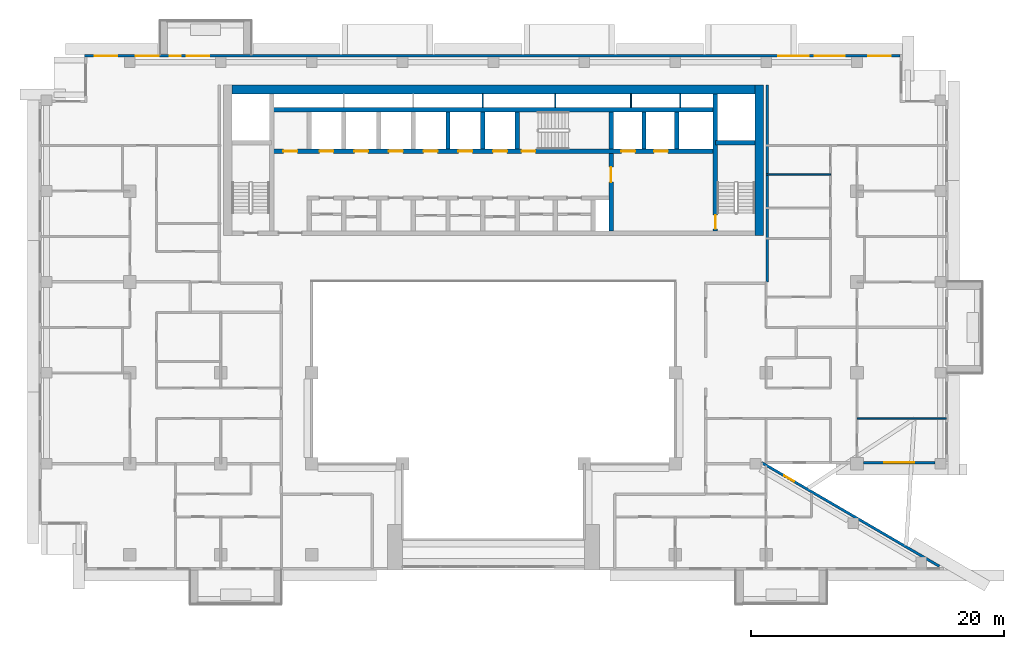
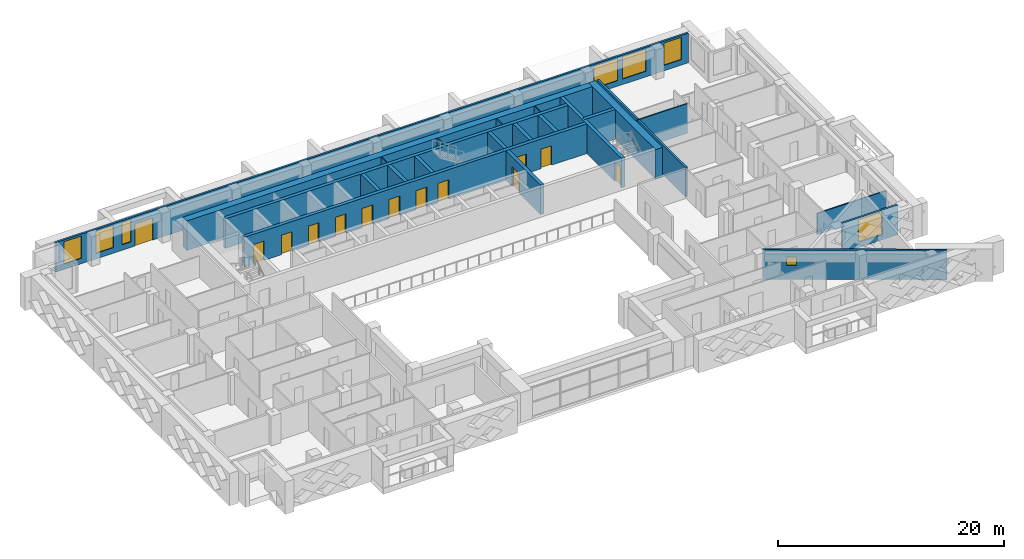
# One storey, part 11 of 20: 23 walls, 13 doors, 8 windows, 21 openings.
"""IFC4 building model written with IfcOpenShell, lengths in metres."""

from ifc_helpers import new_model, si_unit, direction, frame, frame_2d, origin, place, context, subcontext, project, spatial, rectangle, extrude, material, layer, layer_set, type_object, element, fill, save


model = new_model("IFC4")

# Units and contexts
model_context = context("Model", 3, precision=1e-05, world=origin(), true_north=direction((0.0, 1.0)))
body_context = subcontext(model_context, "Body", "Model", "MODEL_VIEW")
ifc_project = project(units=[si_unit("LENGTHUNIT", "METRE"), si_unit("AREAUNIT", "SQUARE_METRE"), si_unit("VOLUMEUNIT", "CUBIC_METRE"), si_unit("PLANEANGLEUNIT", "RADIAN"), si_unit("MASSUNIT", "GRAM", prefix="KILO")], contexts=[model_context])

# Site, building, storey
site_placement = place(None, origin())
site = spatial("IfcSite", under=ifc_project, at=site_placement, CompositionType="ELEMENT")
building_placement = place(site_placement, origin())
building = spatial("IfcBuilding", under=site, at=building_placement, Name="Saffron Iwan Residences", CompositionType="ELEMENT")
storey_placement = place(building_placement, frame((0.0, 0.0, 146.5)))
storey = spatial("IfcBuildingStorey", under=building, at=storey_placement, Name="L38", CompositionType="ELEMENT", Elevation=146.5)

# Wall, opening, window
ifc_material_1 = material(Name="Concrete C40/50", Category="concrete")
ifc_layer_1 = layer(ifc_material_1, 0.199951171875)
ifc_layer_set_1 = layer_set([ifc_layer_1], Name="Concrete C40/50")
wall_type_1 = type_object("IfcWallType", Name="EXTERNAL WALL 200", PredefinedType="SOLIDWALL", material=ifc_layer_set_1)
wall_1_placement = place(storey_placement, frame((85.71923828125, 39.88134765625, 0.0), z_axis=(0.0, 0.0, 1.0), x_axis=(-0.86377618652, 0.503875678716, 0.0)))
wall_1 = element("IfcWall", 1, at=wall_1_placement, inside=storey, type_object=wall_type_1, Name="External wall L38 F0.0", PredefinedType="SOLIDWALL", context=body_context, shape_type="SweptSolid", body=[
    extrude(rectangle(XDim=16.31103515625, YDim=0.199951171875, at=frame_2d((8.155517578125, 0.0))), origin(), (0.0, 0.0, 1.0), 3.199951171875),
])
opening_1_placement = place(wall_1_placement, frame((13.32568359375, 0.0, 1.5)))
opening_1 = element("IfcOpeningElement", 2, at=opening_1_placement, cuts=wall_1, Name="Opening W6", PredefinedType="OPENING", context=body_context, shape_type="SweptSolid", body=[
    extrude(rectangle(XDim=0.89990234375, YDim=0.89990234375, at=frame_2d((0.449951171875, 0.449951171875))), frame((0.0, 0.10986328125, 0.0), z_axis=(0.0, -1.0, 0.0), x_axis=(1.0, 0.0, 0.0)), (0.0, 0.0, 1.0), 0.219970703125),
])
ifc_material_2 = material(Name="Clear glass, laminated double glazed", Category="glass")
window_type_1 = type_object("IfcWindowType", Name="WINDOW 900 x 900 BATH", PartitioningType="SINGLE_PANEL", PredefinedType="WINDOW", material=ifc_material_2)
window_1_placement = place(opening_1_placement, origin())
window_1 = element("IfcWindow", 3, at=window_1_placement, inside=storey, type_object=window_type_1, Name="Window L38 F0.0", OverallHeight=0.89990234375, OverallWidth=0.89990234375, PartitioningType="SINGLE_PANEL", PredefinedType="WINDOW", context=body_context, shape_type="SweptSolid", body=[
    extrude(rectangle(XDim=0.89990234375, YDim=0.89990234375, at=frame_2d((0.449951171875, 0.449951171875))), frame((0.0, 0.030029296875, 0.0), z_axis=(0.0, -1.0, 0.0), x_axis=(1.0, 0.0, 0.0)), (0.0, 0.0, 1.0), 0.06005859375),
])
fill(opening_1, window_1)

wall_2_placement = place(storey_placement, frame((79.699951171875, 48.10009765625, 0.0), z_axis=(0.0, 0.0, 1.0), x_axis=(1.0, 0.0, 0.0)))
wall_2 = element("IfcWall", 4, at=wall_2_placement, inside=storey, type_object=wall_type_1, Name="External wall L38 F1.1", PredefinedType="SOLIDWALL", context=body_context, shape_type="SweptSolid", body=[
    extrude(rectangle(XDim=5.675048828125, YDim=0.199951171875, at=frame_2d((2.83740234375, 0.0))), origin(), (0.0, 0.0, 1.0), 3.199951171875),
])
opening_2_placement = place(wall_2_placement, frame((1.637451171875, 0.0, 0.60009765625)))
opening_2 = element("IfcOpeningElement", 5, at=opening_2_placement, cuts=wall_2, Name="Opening W1", PredefinedType="OPENING", context=body_context, shape_type="SweptSolid", body=[
    extrude(rectangle(XDim=2.39990234375, YDim=2.39990234375, at=frame_2d((1.199951171875, 1.199951171875))), frame((0.0, 0.10986328125, 0.0), z_axis=(0.0, -1.0, 0.0), x_axis=(1.0, 0.0, 0.0)), (0.0, 0.0, 1.0), 0.219970703125),
])
window_type_2 = type_object("IfcWindowType", Name="WINDOW 2400 x 2400", PartitioningType="DOUBLE_PANEL_VERTICAL", PredefinedType="WINDOW", material=ifc_material_2)
window_2_placement = place(opening_2_placement, origin())
window_2 = element("IfcWindow", 6, at=window_2_placement, inside=storey, type_object=window_type_2, Name="Window L38 F1.0", OverallHeight=2.39990234375, OverallWidth=2.39990234375, PartitioningType="DOUBLE_PANEL_VERTICAL", PredefinedType="WINDOW", context=body_context, shape_type="SweptSolid", body=[
    extrude(rectangle(XDim=2.39990234375, YDim=2.39990234375, at=frame_2d((1.199951171875, 1.199951171875))), frame((0.0, 0.030029296875, 0.0), z_axis=(0.0, -1.0, 0.0), x_axis=(1.0, 0.0, 0.0)), (0.0, 0.0, 1.0), 0.06005859375),
])
fill(opening_2, window_2)

# Wall, openings, door, windows
wall_3_placement = place(storey_placement, frame((82.60009765625, 80.300048828125, 0.0), z_axis=(0.0, 0.0, 1.0), x_axis=(-1.0, 0.0, 0.0)))
wall_3 = element("IfcWall", 7, at=wall_3_placement, inside=storey, type_object=wall_type_1, Name="External wall L38 F5.0", PredefinedType="SOLIDWALL", context=body_context, shape_type="SweptSolid", body=[
    extrude(rectangle(XDim=64.60009765625, YDim=0.199951171875, at=frame_2d((32.300048828125, 0.0))), origin(), (0.0, 0.0, 1.0), 3.199951171875),
])
opening_3_placement = place(wall_3_placement, frame((54.699951171875, 0.0, 0.0)))
opening_3 = element("IfcOpeningElement", 8, at=opening_3_placement, cuts=wall_3, Name="Opening BD1", PredefinedType="OPENING", context=body_context, shape_type="SweptSolid", body=[
    extrude(rectangle(XDim=1.800048828125, YDim=2.39990234375, at=frame_2d((0.89990234375, 1.199951171875))), frame((0.0, 0.10986328125, 0.0), z_axis=(0.0, -1.0, 0.0), x_axis=(1.0, 0.0, 0.0)), (0.0, 0.0, 1.0), 0.219970703125),
])
opening_4_placement = place(wall_3_placement, frame((56.949951171875, 0.0, 0.60009765625)))
opening_4 = element("IfcOpeningElement", 9, at=opening_4_placement, cuts=wall_3, Name="Opening W10", PredefinedType="OPENING", context=body_context, shape_type="SweptSolid", body=[
    extrude(rectangle(XDim=0.89990234375, YDim=2.39990234375, at=frame_2d((0.449951171875, 1.199951171875))), frame((0.0, 0.10986328125, 0.0), z_axis=(0.0, -1.0, 0.0), x_axis=(1.0, 0.0, 0.0)), (0.0, 0.0, 1.0), 0.219970703125),
])
opening_5_placement = place(wall_3_placement, frame((58.71240234375, 0.0, 0.60009765625)))
opening_5 = element("IfcOpeningElement", 10, at=opening_5_placement, cuts=wall_3, Name="Opening W8", PredefinedType="OPENING", context=body_context, shape_type="SweptSolid", body=[
    extrude(rectangle(XDim=1.800048828125, YDim=2.39990234375, at=frame_2d((0.89990234375, 1.199951171875))), frame((0.0, 0.10986328125, 0.0), z_axis=(0.0, -1.0, 0.0), x_axis=(1.0, 0.0, 0.0)), (0.0, 0.0, 1.0), 0.219970703125),
])
opening_6_placement = place(wall_3_placement, frame((61.987548828125, 0.0, 0.60009765625)))
opening_6 = element("IfcOpeningElement", 11, at=opening_6_placement, cuts=wall_3, Name="Opening W8", PredefinedType="OPENING", context=body_context, shape_type="SweptSolid", body=[
    extrude(rectangle(XDim=1.800048828125, YDim=2.39990234375, at=frame_2d((0.89990234375, 1.199951171875))), frame((0.0, 0.10986328125, 0.0), z_axis=(0.0, -1.0, 0.0), x_axis=(1.0, 0.0, 0.0)), (0.0, 0.0, 1.0), 0.219970703125),
])
opening_7_placement = place(wall_3_placement, frame((0.71240234375, 0.0, 0.60009765625)))
opening_7 = element("IfcOpeningElement", 12, at=opening_7_placement, cuts=wall_3, Name="Opening W8", PredefinedType="OPENING", context=body_context, shape_type="SweptSolid", body=[
    extrude(rectangle(XDim=1.800048828125, YDim=2.39990234375, at=frame_2d((0.89990234375, 1.199951171875))), frame((0.0, 0.10986328125, 0.0), z_axis=(0.0, -1.0, 0.0), x_axis=(1.0, 0.0, 0.0)), (0.0, 0.0, 1.0), 0.219970703125),
])
opening_8_placement = place(wall_3_placement, frame((4.3583984375, 0.0, 0.60009765625)))
opening_8 = element("IfcOpeningElement", 13, at=opening_8_placement, cuts=wall_3, Name="Opening W1", PredefinedType="OPENING", context=body_context, shape_type="SweptSolid", body=[
    extrude(rectangle(XDim=2.39990234375, YDim=2.39990234375, at=frame_2d((1.199951171875, 1.199951171875))), frame((0.0, 0.10986328125, 0.0), z_axis=(0.0, -1.0, 0.0), x_axis=(1.0, 0.0, 0.0)), (0.0, 0.0, 1.0), 0.219970703125),
])
opening_9_placement = place(wall_3_placement, frame((7.24169921875, 0.0, 0.60009765625)))
opening_9 = element("IfcOpeningElement", 14, at=opening_9_placement, cuts=wall_3, Name="Opening W1", PredefinedType="OPENING", context=body_context, shape_type="SweptSolid", body=[
    extrude(rectangle(XDim=2.39990234375, YDim=2.39990234375, at=frame_2d((1.199951171875, 1.199951171875))), frame((0.0, 0.10986328125, 0.0), z_axis=(0.0, -1.0, 0.0), x_axis=(1.0, 0.0, 0.0)), (0.0, 0.0, 1.0), 0.219970703125),
])
door_type_1 = type_object("IfcDoorType", Name="BALCONY DOOR 1800 x 2400", OperationType="DOUBLE_DOOR_SLIDING", PredefinedType="DOOR", material=ifc_material_2)
door_1_placement = place(opening_3_placement, origin())
door_1 = element("IfcDoor", 15, at=door_1_placement, inside=storey, type_object=door_type_1, Name="Balcony door L38 F5.0", OperationType="DOUBLE_DOOR_SLIDING", OverallHeight=2.39990234375, OverallWidth=1.800048828125, PredefinedType="DOOR", context=body_context, shape_type="SweptSolid", body=[
    extrude(rectangle(XDim=1.800048828125, YDim=2.39990234375, at=frame_2d((0.89990234375, 1.199951171875))), frame((0.0, 0.02490234375, 0.0), z_axis=(0.0, -1.0, 0.0), x_axis=(1.0, 0.0, 0.0)), (0.0, 0.0, 1.0), 0.050048828125),
])
fill(opening_3, door_1)
window_type_3 = type_object("IfcWindowType", Name="WINDOW 1800 x 2400", PartitioningType="DOUBLE_PANEL_VERTICAL", PredefinedType="WINDOW", material=ifc_material_2)
window_3_placement = place(opening_5_placement, origin())
window_3 = element("IfcWindow", 16, at=window_3_placement, inside=storey, type_object=window_type_3, Name="Window L38 F5.2", OverallHeight=2.39990234375, OverallWidth=1.800048828125, PartitioningType="DOUBLE_PANEL_VERTICAL", PredefinedType="WINDOW", context=body_context, shape_type="SweptSolid", body=[
    extrude(rectangle(XDim=1.800048828125, YDim=2.39990234375, at=frame_2d((0.89990234375, 1.199951171875))), frame((0.0, 0.030029296875, 0.0), z_axis=(0.0, -1.0, 0.0), x_axis=(1.0, 0.0, 0.0)), (0.0, 0.0, 1.0), 0.06005859375),
])
fill(opening_5, window_3)
window_4_placement = place(opening_6_placement, origin())
window_4 = element("IfcWindow", 17, at=window_4_placement, inside=storey, type_object=window_type_3, Name="Window L38 F5.3", OverallHeight=2.39990234375, OverallWidth=1.800048828125, PartitioningType="DOUBLE_PANEL_VERTICAL", PredefinedType="WINDOW", context=body_context, shape_type="SweptSolid", body=[
    extrude(rectangle(XDim=1.800048828125, YDim=2.39990234375, at=frame_2d((0.89990234375, 1.199951171875))), frame((0.0, 0.030029296875, 0.0), z_axis=(0.0, -1.0, 0.0), x_axis=(1.0, 0.0, 0.0)), (0.0, 0.0, 1.0), 0.06005859375),
])
fill(opening_6, window_4)
window_5_placement = place(opening_7_placement, origin())
window_5 = element("IfcWindow", 18, at=window_5_placement, inside=storey, type_object=window_type_3, Name="Window L38 F5.4", OverallHeight=2.39990234375, OverallWidth=1.800048828125, PartitioningType="DOUBLE_PANEL_VERTICAL", PredefinedType="WINDOW", context=body_context, shape_type="SweptSolid", body=[
    extrude(rectangle(XDim=1.800048828125, YDim=2.39990234375, at=frame_2d((0.89990234375, 1.199951171875))), frame((0.0, 0.030029296875, 0.0), z_axis=(0.0, -1.0, 0.0), x_axis=(1.0, 0.0, 0.0)), (0.0, 0.0, 1.0), 0.06005859375),
])
fill(opening_7, window_5)
window_6_placement = place(opening_8_placement, origin())
window_6 = element("IfcWindow", 19, at=window_6_placement, inside=storey, type_object=window_type_2, Name="Window L38 F5.5", OverallHeight=2.39990234375, OverallWidth=2.39990234375, PartitioningType="DOUBLE_PANEL_VERTICAL", PredefinedType="WINDOW", context=body_context, shape_type="SweptSolid", body=[
    extrude(rectangle(XDim=2.39990234375, YDim=2.39990234375, at=frame_2d((1.199951171875, 1.199951171875))), frame((0.0, 0.030029296875, 0.0), z_axis=(0.0, -1.0, 0.0), x_axis=(1.0, 0.0, 0.0)), (0.0, 0.0, 1.0), 0.06005859375),
])
fill(opening_8, window_6)
window_7_placement = place(opening_9_placement, origin())
window_7 = element("IfcWindow", 20, at=window_7_placement, inside=storey, type_object=window_type_2, Name="Window L38 F5.6", OverallHeight=2.39990234375, OverallWidth=2.39990234375, PartitioningType="DOUBLE_PANEL_VERTICAL", PredefinedType="WINDOW", context=body_context, shape_type="SweptSolid", body=[
    extrude(rectangle(XDim=2.39990234375, YDim=2.39990234375, at=frame_2d((1.199951171875, 1.199951171875))), frame((0.0, 0.030029296875, 0.0), z_axis=(0.0, -1.0, 0.0), x_axis=(1.0, 0.0, 0.0)), (0.0, 0.0, 1.0), 0.06005859375),
])
fill(opening_9, window_7)
window_type_4 = type_object("IfcWindowType", Name="WINDOW 900 x 2400", PartitioningType="SINGLE_PANEL", PredefinedType="WINDOW", material=ifc_material_2)
window_8_placement = place(opening_4_placement, origin())
window_8 = element("IfcWindow", 21, at=window_8_placement, inside=storey, type_object=window_type_4, Name="Window L38 F5.1", OverallHeight=2.39990234375, OverallWidth=0.89990234375, PartitioningType="SINGLE_PANEL", PredefinedType="WINDOW", context=body_context, shape_type="SweptSolid", body=[
    extrude(rectangle(XDim=0.89990234375, YDim=2.39990234375, at=frame_2d((0.449951171875, 1.199951171875))), frame((0.0, 0.030029296875, 0.0), z_axis=(0.0, -1.0, 0.0), x_axis=(1.0, 0.0, 0.0)), (0.0, 0.0, 1.0), 0.06005859375),
])
fill(opening_4, window_8)

# Walls
ifc_material_3 = material(Name="Gypsum board partition")
ifc_layer_2 = layer(ifc_material_3, 0.1201171875)
ifc_layer_set_2 = layer_set([ifc_layer_2], Name="Gypsum board partition")
wall_type_2 = type_object("IfcWallType", Name="Flat partition 120", PredefinedType="PARTITIONING", material=ifc_layer_set_2)
wall_4_placement = place(storey_placement, frame((79.199951171875, 51.60009765625, 0.0), z_axis=(0.0, 0.0, 1.0), x_axis=(1.0, 0.0, 0.0)))
element("IfcWall", 22, at=wall_4_placement, inside=storey, type_object=wall_type_2, Name="W-L38-PART-h51.6-79.2", PredefinedType="PARTITIONING", context=body_context, shape_type="SweptSolid", body=[
    extrude(rectangle(XDim=7.074951171875, YDim=0.1201171875, at=frame_2d((3.53759765625, 0.0))), origin(), (0.0, 0.0, 1.0), 2.300048828125),
])
wall_5_placement = place(storey_placement, frame((72.0, 70.89990234375, 0.0), z_axis=(0.0, 0.0, 1.0), x_axis=(1.0, 0.0, 0.0)))
element("IfcWall", 23, at=wall_5_placement, inside=storey, type_object=wall_type_2, Name="W-L38-PART-h70.9-72", PredefinedType="PARTITIONING", context=body_context, shape_type="SweptSolid", body=[
    extrude(rectangle(XDim=5.10009765625, YDim=0.1201171875, at=frame_2d((2.550048828125, 0.0))), origin(), (0.0, 0.0, 1.0), 3.199951171875),
])
ifc_material_4 = material(Name="Fire-rated gypsum board wall")
ifc_layer_3 = layer(ifc_material_4, 0.199951171875)
ifc_layer_set_3 = layer_set([ifc_layer_3], Name="Fire-rated gypsum board wall")
wall_type_3 = type_object("IfcWallType", Name="Gallery wall 200", PredefinedType="SOLIDWALL", material=ifc_layer_set_3)
wall_6_placement = place(storey_placement, frame((72.10009765625, 62.39990234375, 0.0), z_axis=(0.0, 0.0, 1.0), x_axis=(0.0, 1.0, 0.0)))
element("IfcWall", 24, at=wall_6_placement, inside=storey, type_object=wall_type_3, Name="W-L38-CORR-v72-62.4", PredefinedType="SOLIDWALL", context=body_context, shape_type="SweptSolid", body=[
    extrude(rectangle(XDim=15.60009765625, YDim=0.199951171875, at=frame_2d((7.800048828125, 0.0))), origin(), (0.0, 0.0, 1.0), 3.199951171875),
])
ifc_material_5 = material(Name="Fire-rated plasterboard partition")
ifc_layer_4 = layer(ifc_material_5, 0.10009765625)
ifc_layer_set_4 = layer_set([ifc_layer_4], Name="Fire-rated plasterboard partition")
wall_type_4 = type_object("IfcWallType", Name="Riser partition 100", PredefinedType="PARTITIONING", material=ifc_layer_set_4)
for number, where, z_axis, x_axis, name in (
    (25, (49.550048828125, 76.22509765625, 0.0), (0.0, 0.0, 1.0), (0.0, 1.0, 0.0), "Core partition P10"),
    (26, (55.300048828125, 76.22509765625, 0.0), (0.0, 0.0, 1.0), (0.0, 1.0, 0.0), "Core partition P11"),
    (27, (61.300048828125, 76.22509765625, 0.0), (0.0, 0.0, 1.0), (0.0, 1.0, 0.0), "Core partition P12"),
    (28, (65.199951171875, 76.22509765625, 0.0), (0.0, 0.0, 1.0), (0.0, 1.0, 0.0), "Core partition P13"),
):
    element("IfcWall", number, at=place(storey_placement, frame(where, z_axis=z_axis, x_axis=x_axis)), inside=storey, type_object=wall_type_4, Name=name, PredefinedType="PARTITIONING", context=body_context, shape_type="SweptSolid", body=[
        extrude(rectangle(XDim=1.074951171875, YDim=0.10009765625, at=frame_2d((0.53759765625, 0.0))), origin(), (0.0, 0.0, 1.0), 3.199951171875),
    ])

# Wall, openings, doors
ifc_material_6 = material(Name="Concrete C50/60", Category="concrete")
ifc_layer_5 = layer(ifc_material_6, 0.35009765625)
ifc_layer_set_5 = layer_set([ifc_layer_5], Name="Concrete C50/60")
wall_type_5 = type_object("IfcWallType", Name="WALL CORE 350 C50/60 3200 HIGH", PredefinedType="SHEAR", material=ifc_layer_set_5)
wall_7_placement = place(storey_placement, frame((32.824951171875, 72.75, 0.0), z_axis=(0.0, 0.0, 1.0), x_axis=(1.0, 0.0, 0.0)))
wall_7 = element("IfcWall", 29, at=wall_7_placement, inside=storey, type_object=wall_type_5, Name="Core wall", PredefinedType="SHEAR", context=body_context, shape_type="SweptSolid", body=[
    extrude(rectangle(XDim=35.150146484375, YDim=0.35009765625, at=frame_2d((17.5751953125, 0.0))), origin(), (0.0, 0.0, 1.0), 3.199951171875),
])
opening_10_placement = place(wall_7_placement, frame((19.800048828125, 0.0, 0.0)))
opening_10 = element("IfcOpeningElement", 30, at=opening_10_placement, cuts=wall_7, Name="Opening SD", PredefinedType="OPENING", context=body_context, shape_type="SweptSolid", body=[
    extrude(rectangle(XDim=1.10009765625, YDim=2.10009765625, at=frame_2d((0.550048828125, 1.050048828125))), frame((0.0, 0.18505859375, 0.0), z_axis=(0.0, -1.0, 0.0), x_axis=(1.0, 0.0, 0.0)), (0.0, 0.0, 1.0), 0.3701171875),
])
opening_11_placement = place(wall_7_placement, frame((27.699951171875, 0.0, 0.0)))
opening_11 = element("IfcOpeningElement", 31, at=opening_11_placement, cuts=wall_7, Name="Opening LD", PredefinedType="OPENING", context=body_context, shape_type="SweptSolid", body=[
    extrude(rectangle(XDim=1.10009765625, YDim=2.10009765625, at=frame_2d((0.550048828125, 1.050048828125))), frame((0.0, 0.18505859375, 0.0), z_axis=(0.0, -1.0, 0.0), x_axis=(1.0, 0.0, 0.0)), (0.0, 0.0, 1.0), 0.3701171875),
])
opening_12_placement = place(wall_7_placement, frame((30.300048828125, 0.0, 0.0)))
opening_12 = element("IfcOpeningElement", 32, at=opening_12_placement, cuts=wall_7, Name="Opening LD", PredefinedType="OPENING", context=body_context, shape_type="SweptSolid", body=[
    extrude(rectangle(XDim=1.10009765625, YDim=2.10009765625, at=frame_2d((0.550048828125, 1.050048828125))), frame((0.0, 0.18505859375, 0.0), z_axis=(0.0, -1.0, 0.0), x_axis=(1.0, 0.0, 0.0)), (0.0, 0.0, 1.0), 0.3701171875),
])
opening_13_placement = place(wall_7_placement, frame((3.800048828125, 0.0, 0.0)))
opening_13 = element("IfcOpeningElement", 33, at=opening_13_placement, cuts=wall_7, Name="Opening LD", PredefinedType="OPENING", context=body_context, shape_type="SweptSolid", body=[
    extrude(rectangle(XDim=1.10009765625, YDim=2.10009765625, at=frame_2d((0.550048828125, 1.050048828125))), frame((0.0, 0.18505859375, 0.0), z_axis=(0.0, -1.0, 0.0), x_axis=(1.0, 0.0, 0.0)), (0.0, 0.0, 1.0), 0.3701171875),
])
opening_14_placement = place(wall_7_placement, frame((6.550048828125, 0.0, 0.0)))
opening_14 = element("IfcOpeningElement", 34, at=opening_14_placement, cuts=wall_7, Name="Opening LD", PredefinedType="OPENING", context=body_context, shape_type="SweptSolid", body=[
    extrude(rectangle(XDim=1.10009765625, YDim=2.10009765625, at=frame_2d((0.550048828125, 1.050048828125))), frame((0.0, 0.18505859375, 0.0), z_axis=(0.0, -1.0, 0.0), x_axis=(1.0, 0.0, 0.0)), (0.0, 0.0, 1.0), 0.3701171875),
])
opening_15_placement = place(wall_7_placement, frame((9.300048828125, 0.0, 0.0)))
opening_15 = element("IfcOpeningElement", 35, at=opening_15_placement, cuts=wall_7, Name="Opening LD", PredefinedType="OPENING", context=body_context, shape_type="SweptSolid", body=[
    extrude(rectangle(XDim=1.10009765625, YDim=2.10009765625, at=frame_2d((0.550048828125, 1.050048828125))), frame((0.0, 0.18505859375, 0.0), z_axis=(0.0, -1.0, 0.0), x_axis=(1.0, 0.0, 0.0)), (0.0, 0.0, 1.0), 0.3701171875),
])
opening_16_placement = place(wall_7_placement, frame((12.050048828125, 0.0, 0.0)))
opening_16 = element("IfcOpeningElement", 36, at=opening_16_placement, cuts=wall_7, Name="Opening LD", PredefinedType="OPENING", context=body_context, shape_type="SweptSolid", body=[
    extrude(rectangle(XDim=1.10009765625, YDim=2.10009765625, at=frame_2d((0.550048828125, 1.050048828125))), frame((0.0, 0.18505859375, 0.0), z_axis=(0.0, -1.0, 0.0), x_axis=(1.0, 0.0, 0.0)), (0.0, 0.0, 1.0), 0.3701171875),
])
opening_17_placement = place(wall_7_placement, frame((14.800048828125, 0.0, 0.0)))
opening_17 = element("IfcOpeningElement", 37, at=opening_17_placement, cuts=wall_7, Name="Opening LD", PredefinedType="OPENING", context=body_context, shape_type="SweptSolid", body=[
    extrude(rectangle(XDim=1.10009765625, YDim=2.10009765625, at=frame_2d((0.550048828125, 1.050048828125))), frame((0.0, 0.18505859375, 0.0), z_axis=(0.0, -1.0, 0.0), x_axis=(1.0, 0.0, 0.0)), (0.0, 0.0, 1.0), 0.3701171875),
])
opening_18_placement = place(wall_7_placement, frame((17.550048828125, 0.0, 0.0)))
opening_18 = element("IfcOpeningElement", 38, at=opening_18_placement, cuts=wall_7, Name="Opening LD", PredefinedType="OPENING", context=body_context, shape_type="SweptSolid", body=[
    extrude(rectangle(XDim=1.10009765625, YDim=2.10009765625, at=frame_2d((0.550048828125, 1.050048828125))), frame((0.0, 0.18505859375, 0.0), z_axis=(0.0, -1.0, 0.0), x_axis=(1.0, 0.0, 0.0)), (0.0, 0.0, 1.0), 0.3701171875),
])
opening_19_placement = place(wall_7_placement, frame((0.9375, 0.0, 0.0)))
opening_19 = element("IfcOpeningElement", 39, at=opening_19_placement, cuts=wall_7, Name="Opening SR", PredefinedType="OPENING", context=body_context, shape_type="SweptSolid", body=[
    extrude(rectangle(XDim=1.10009765625, YDim=2.10009765625, at=frame_2d((0.550048828125, 1.050048828125))), frame((0.0, 0.18505859375, 0.0), z_axis=(0.0, -1.0, 0.0), x_axis=(1.0, 0.0, 0.0)), (0.0, 0.0, 1.0), 0.3701171875),
])
ifc_material_7 = material(Name="Steel fire door", Category="steel")
door_type_2 = type_object("IfcDoorType", Name="Lift landing door 1100", OperationType="SLIDING_TO_LEFT", PredefinedType="DOOR", material=ifc_material_7)
door_2_placement = place(opening_11_placement, origin())
door_2 = element("IfcDoor", 40, at=door_2_placement, inside=storey, type_object=door_type_2, Name="Landing doors FF1", OperationType="SLIDING_TO_LEFT", OverallHeight=2.10009765625, OverallWidth=1.10009765625, PredefinedType="DOOR", context=body_context, shape_type="SweptSolid", body=[
    extrude(rectangle(XDim=1.10009765625, YDim=2.10009765625, at=frame_2d((0.550048828125, 1.050048828125))), frame((0.0, 0.02490234375, 0.0), z_axis=(0.0, -1.0, 0.0), x_axis=(1.0, 0.0, 0.0)), (0.0, 0.0, 1.0), 0.050048828125),
])
fill(opening_11, door_2)
door_3_placement = place(opening_12_placement, origin())
door_3 = element("IfcDoor", 41, at=door_3_placement, inside=storey, type_object=door_type_2, Name="Landing doors FF2", OperationType="SLIDING_TO_LEFT", OverallHeight=2.10009765625, OverallWidth=1.10009765625, PredefinedType="DOOR", context=body_context, shape_type="SweptSolid", body=[
    extrude(rectangle(XDim=1.10009765625, YDim=2.10009765625, at=frame_2d((0.550048828125, 1.050048828125))), frame((0.0, 0.02490234375, 0.0), z_axis=(0.0, -1.0, 0.0), x_axis=(1.0, 0.0, 0.0)), (0.0, 0.0, 1.0), 0.050048828125),
])
fill(opening_12, door_3)
door_4_placement = place(opening_13_placement, origin())
door_4 = element("IfcDoor", 42, at=door_4_placement, inside=storey, type_object=door_type_2, Name="Landing doors HR1", OperationType="SLIDING_TO_LEFT", OverallHeight=2.10009765625, OverallWidth=1.10009765625, PredefinedType="DOOR", context=body_context, shape_type="SweptSolid", body=[
    extrude(rectangle(XDim=1.10009765625, YDim=2.10009765625, at=frame_2d((0.550048828125, 1.050048828125))), frame((0.0, 0.02490234375, 0.0), z_axis=(0.0, -1.0, 0.0), x_axis=(1.0, 0.0, 0.0)), (0.0, 0.0, 1.0), 0.050048828125),
])
fill(opening_13, door_4)
door_5_placement = place(opening_14_placement, origin())
door_5 = element("IfcDoor", 43, at=door_5_placement, inside=storey, type_object=door_type_2, Name="Landing doors HR2", OperationType="SLIDING_TO_LEFT", OverallHeight=2.10009765625, OverallWidth=1.10009765625, PredefinedType="DOOR", context=body_context, shape_type="SweptSolid", body=[
    extrude(rectangle(XDim=1.10009765625, YDim=2.10009765625, at=frame_2d((0.550048828125, 1.050048828125))), frame((0.0, 0.02490234375, 0.0), z_axis=(0.0, -1.0, 0.0), x_axis=(1.0, 0.0, 0.0)), (0.0, 0.0, 1.0), 0.050048828125),
])
fill(opening_14, door_5)
door_6_placement = place(opening_15_placement, origin())
door_6 = element("IfcDoor", 44, at=door_6_placement, inside=storey, type_object=door_type_2, Name="Landing doors HR3", OperationType="SLIDING_TO_LEFT", OverallHeight=2.10009765625, OverallWidth=1.10009765625, PredefinedType="DOOR", context=body_context, shape_type="SweptSolid", body=[
    extrude(rectangle(XDim=1.10009765625, YDim=2.10009765625, at=frame_2d((0.550048828125, 1.050048828125))), frame((0.0, 0.02490234375, 0.0), z_axis=(0.0, -1.0, 0.0), x_axis=(1.0, 0.0, 0.0)), (0.0, 0.0, 1.0), 0.050048828125),
])
fill(opening_15, door_6)
door_7_placement = place(opening_16_placement, origin())
door_7 = element("IfcDoor", 45, at=door_7_placement, inside=storey, type_object=door_type_2, Name="Landing doors HR4", OperationType="SLIDING_TO_LEFT", OverallHeight=2.10009765625, OverallWidth=1.10009765625, PredefinedType="DOOR", context=body_context, shape_type="SweptSolid", body=[
    extrude(rectangle(XDim=1.10009765625, YDim=2.10009765625, at=frame_2d((0.550048828125, 1.050048828125))), frame((0.0, 0.02490234375, 0.0), z_axis=(0.0, -1.0, 0.0), x_axis=(1.0, 0.0, 0.0)), (0.0, 0.0, 1.0), 0.050048828125),
])
fill(opening_16, door_7)
door_8_placement = place(opening_17_placement, origin())
door_8 = element("IfcDoor", 46, at=door_8_placement, inside=storey, type_object=door_type_2, Name="Landing doors HR5", OperationType="SLIDING_TO_LEFT", OverallHeight=2.10009765625, OverallWidth=1.10009765625, PredefinedType="DOOR", context=body_context, shape_type="SweptSolid", body=[
    extrude(rectangle(XDim=1.10009765625, YDim=2.10009765625, at=frame_2d((0.550048828125, 1.050048828125))), frame((0.0, 0.02490234375, 0.0), z_axis=(0.0, -1.0, 0.0), x_axis=(1.0, 0.0, 0.0)), (0.0, 0.0, 1.0), 0.050048828125),
])
fill(opening_17, door_8)
door_9_placement = place(opening_18_placement, origin())
door_9 = element("IfcDoor", 47, at=door_9_placement, inside=storey, type_object=door_type_2, Name="Landing doors HR6", OperationType="SLIDING_TO_LEFT", OverallHeight=2.10009765625, OverallWidth=1.10009765625, PredefinedType="DOOR", context=body_context, shape_type="SweptSolid", body=[
    extrude(rectangle(XDim=1.10009765625, YDim=2.10009765625, at=frame_2d((0.550048828125, 1.050048828125))), frame((0.0, 0.02490234375, 0.0), z_axis=(0.0, -1.0, 0.0), x_axis=(1.0, 0.0, 0.0)), (0.0, 0.0, 1.0), 0.050048828125),
])
fill(opening_18, door_9)
door_type_3 = type_object("IfcDoorType", Name="Service door 1100", OperationType="NOTDEFINED", PredefinedType="DOOR", material=ifc_material_7)
door_10_placement = place(opening_19_placement, origin())
door_10 = element("IfcDoor", 48, at=door_10_placement, inside=storey, type_object=door_type_3, Name="Door Caretaker's room", OperationType="SINGLE_SWING_LEFT", OverallHeight=2.10009765625, OverallWidth=1.10009765625, PredefinedType="DOOR", context=body_context, shape_type="SweptSolid", body=[
    extrude(rectangle(XDim=1.10009765625, YDim=2.10009765625, at=frame_2d((0.550048828125, 1.050048828125))), frame((0.0, 0.02490234375, 0.0), z_axis=(0.0, -1.0, 0.0), x_axis=(1.0, 0.0, 0.0)), (0.0, 0.0, 1.0), 0.050048828125),
])
fill(opening_19, door_10)
door_type_4 = type_object("IfcDoorType", Name="Stair door 1100", OperationType="NOTDEFINED", PredefinedType="DOOR", material=ifc_material_7)
door_11_placement = place(opening_10_placement, origin())
door_11 = element("IfcDoor", 49, at=door_11_placement, inside=storey, type_object=door_type_4, Name="Stair door ST-C", OperationType="SINGLE_SWING_LEFT", OverallHeight=2.10009765625, OverallWidth=1.10009765625, PredefinedType="DOOR", context=body_context, shape_type="SweptSolid", body=[
    extrude(rectangle(XDim=1.10009765625, YDim=2.10009765625, at=frame_2d((0.550048828125, 1.050048828125))), frame((0.0, 0.02490234375, 0.0), z_axis=(0.0, -1.0, 0.0), x_axis=(1.0, 0.0, 0.0)), (0.0, 0.0, 1.0), 0.050048828125),
])
fill(opening_10, door_11)

# Walls
wall_8_placement = place(storey_placement, frame((32.824951171875, 76.050048828125, 0.0), z_axis=(0.0, 0.0, 1.0), x_axis=(1.0, 0.0, 0.0)))
element("IfcWall", 50, at=wall_8_placement, inside=storey, type_object=wall_type_5, Name="Core wall", PredefinedType="SHEAR", context=body_context, shape_type="SweptSolid", body=[
    extrude(rectangle(XDim=35.150146484375, YDim=0.35009765625, at=frame_2d((17.5751953125, 0.0))), origin(), (0.0, 0.0, 1.0), 3.199951171875),
])
wall_9_placement = place(storey_placement, frame((67.97509765625, 73.425048828125, 0.0), z_axis=(0.0, 0.0, 1.0), x_axis=(1.0, 0.0, 0.0)))
element("IfcWall", 51, at=wall_9_placement, inside=storey, type_object=wall_type_5, Name="Core wall", PredefinedType="SHEAR", context=body_context, shape_type="SweptSolid", body=[
    extrude(rectangle(XDim=3.125, YDim=0.35009765625, at=frame_2d((1.5625, 0.0))), origin(), (0.0, 0.0, 1.0), 3.199951171875),
])

# Wall, opening, door
wall_10_placement = place(storey_placement, frame((67.97509765625, 66.449951171875, 0.0), z_axis=(0.0, 0.0, 1.0), x_axis=(0.0, 1.0, 0.0)))
wall_10 = element("IfcWall", 52, at=wall_10_placement, inside=storey, type_object=wall_type_5, Name="Core wall", PredefinedType="SHEAR", context=body_context, shape_type="SweptSolid", body=[
    extrude(rectangle(XDim=10.85009765625, YDim=0.35009765625, at=frame_2d((5.425048828125, 0.0))), origin(), (0.0, 0.0, 1.0), 3.199951171875),
])
opening_20_placement = place(wall_10_placement, frame((0.14990234375, 0.0, 0.0)))
opening_20 = element("IfcOpeningElement", 53, at=opening_20_placement, cuts=wall_10, Name="Opening SD", PredefinedType="OPENING", context=body_context, shape_type="SweptSolid", body=[
    extrude(rectangle(XDim=1.10009765625, YDim=2.10009765625, at=frame_2d((0.550048828125, 1.050048828125))), frame((0.0, 0.18505859375, 0.0), z_axis=(0.0, -1.0, 0.0), x_axis=(1.0, 0.0, 0.0)), (0.0, 0.0, 1.0), 0.3701171875),
])
door_12_placement = place(opening_20_placement, origin())
door_12 = element("IfcDoor", 54, at=door_12_placement, inside=storey, type_object=door_type_4, Name="Stair door ST-E", OperationType="SINGLE_SWING_LEFT", OverallHeight=2.10009765625, OverallWidth=1.10009765625, PredefinedType="DOOR", context=body_context, shape_type="SweptSolid", body=[
    extrude(rectangle(XDim=1.10009765625, YDim=2.10009765625, at=frame_2d((0.550048828125, 1.050048828125))), frame((0.0, 0.02490234375, 0.0), z_axis=(0.0, -1.0, 0.0), x_axis=(1.0, 0.0, 0.0)), (0.0, 0.0, 1.0), 0.050048828125),
])
fill(opening_20, door_12)

wall_11_placement = place(storey_placement, frame((59.72509765625, 66.449951171875, 0.0), z_axis=(0.0, 0.0, 1.0), x_axis=(0.0, 1.0, 0.0)))
wall_11 = element("IfcWall", 55, at=wall_11_placement, inside=storey, type_object=wall_type_5, Name="Core wall", PredefinedType="SHEAR", context=body_context, shape_type="SweptSolid", body=[
    extrude(rectangle(XDim=6.125, YDim=0.35009765625, at=frame_2d((3.0625, 0.0))), origin(), (0.0, 0.0, 1.0), 3.199951171875),
])
opening_21_placement = place(wall_11_placement, frame((3.85009765625, 0.0, 0.0)))
opening_21 = element("IfcOpeningElement", 56, at=opening_21_placement, cuts=wall_11, Name="Opening FD", PredefinedType="OPENING", context=body_context, shape_type="SweptSolid", body=[
    extrude(rectangle(XDim=1.199951171875, YDim=2.10009765625, at=frame_2d((0.60009765625, 1.050048828125))), frame((0.0, 0.18505859375, 0.0), z_axis=(0.0, -1.0, 0.0), x_axis=(1.0, 0.0, 0.0)), (0.0, 0.0, 1.0), 0.3701171875),
])
door_type_5 = type_object("IfcDoorType", Name="Firefighting lobby door 1200", OperationType="NOTDEFINED", PredefinedType="DOOR", material=ifc_material_7)
door_13_placement = place(opening_21_placement, origin())
door_13 = element("IfcDoor", 57, at=door_13_placement, inside=storey, type_object=door_type_5, Name="Firefighting lobby door", OperationType="SINGLE_SWING_LEFT", OverallHeight=2.10009765625, OverallWidth=1.199951171875, PredefinedType="DOOR", context=body_context, shape_type="SweptSolid", body=[
    extrude(rectangle(XDim=1.199951171875, YDim=2.10009765625, at=frame_2d((0.60009765625, 1.050048828125))), frame((0.0, 0.02490234375, 0.0), z_axis=(0.0, -1.0, 0.0), x_axis=(1.0, 0.0, 0.0)), (0.0, 0.0, 1.0), 0.050048828125),
])
fill(opening_21, door_13)

# Walls
for number, where, z_axis, x_axis, name in (
    (58, (59.72509765625, 72.925048828125, 0.0), (0.0, 0.0, 1.0), (0.0, 1.0, 0.0), "Core wall"),
    (59, (46.800048828125, 72.925048828125, 0.0), (0.0, 0.0, 1.0), (0.0, 1.0, 0.0), "Core wall"),
    (60, (49.550048828125, 72.925048828125, 0.0), (0.0, 0.0, 1.0), (0.0, 1.0, 0.0), "Core wall"),
    (61, (52.300048828125, 72.925048828125, 0.0), (0.0, 0.0, 1.0), (0.0, 1.0, 0.0), "Core wall"),
    (62, (62.324951171875, 72.925048828125, 0.0), (0.0, 0.0, 1.0), (0.0, 1.0, 0.0), "Core wall"),
    (63, (64.925048828125, 72.925048828125, 0.0), (0.0, 0.0, 1.0), (0.0, 1.0, 0.0), "Core wall"),
):
    element("IfcWall", number, at=place(storey_placement, frame(where, z_axis=z_axis, x_axis=x_axis)), inside=storey, type_object=wall_type_5, Name=name, PredefinedType="SHEAR", context=body_context, shape_type="SweptSolid", body=[
        extrude(rectangle(XDim=2.949951171875, YDim=0.35009765625, at=frame_2d((1.47509765625, 0.0))), origin(), (0.0, 0.0, 1.0), 3.199951171875),
    ])
ifc_layer_6 = layer(ifc_material_6, 0.699951171875)
ifc_layer_set_6 = layer_set([ifc_layer_6], Name="Concrete C50/60")
wall_type_6 = type_object("IfcWallType", Name="WALL CORE 700 C50/60 3200 HIGH", PredefinedType="SHEAR", material=ifc_layer_set_6)
wall_12_placement = place(storey_placement, frame((71.449951171875, 66.10009765625, 0.0), z_axis=(0.0, 0.0, 1.0), x_axis=(0.0, 1.0, 0.0)))
element("IfcWall", 64, at=wall_12_placement, inside=storey, type_object=wall_type_6, Name="Core wall", PredefinedType="SHEAR", context=body_context, shape_type="SweptSolid", body=[
    extrude(rectangle(XDim=11.89990234375, YDim=0.699951171875, at=frame_2d((5.949951171875, 0.0))), origin(), (0.0, 0.0, 1.0), 3.199951171875),
])
wall_13_placement = place(storey_placement, frame((29.699951171875, 77.64990234375, 0.0), z_axis=(0.0, 0.0, 1.0), x_axis=(1.0, 0.0, 0.0)))
element("IfcWall", 65, at=wall_13_placement, inside=storey, type_object=wall_type_6, Name="Core wall", PredefinedType="SHEAR", context=body_context, shape_type="SweptSolid", body=[
    extrude(rectangle(XDim=41.400146484375, YDim=0.699951171875, at=frame_2d((20.7001953125, 0.0))), origin(), (0.0, 0.0, 1.0), 3.199951171875),
])

save(model, "model.ifc")
